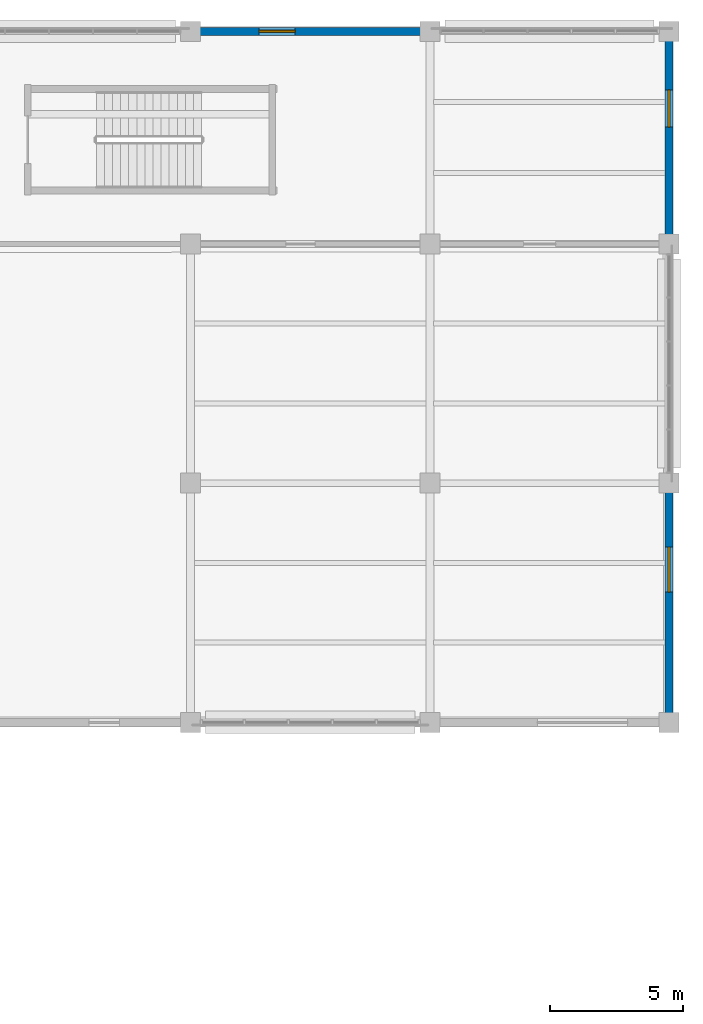
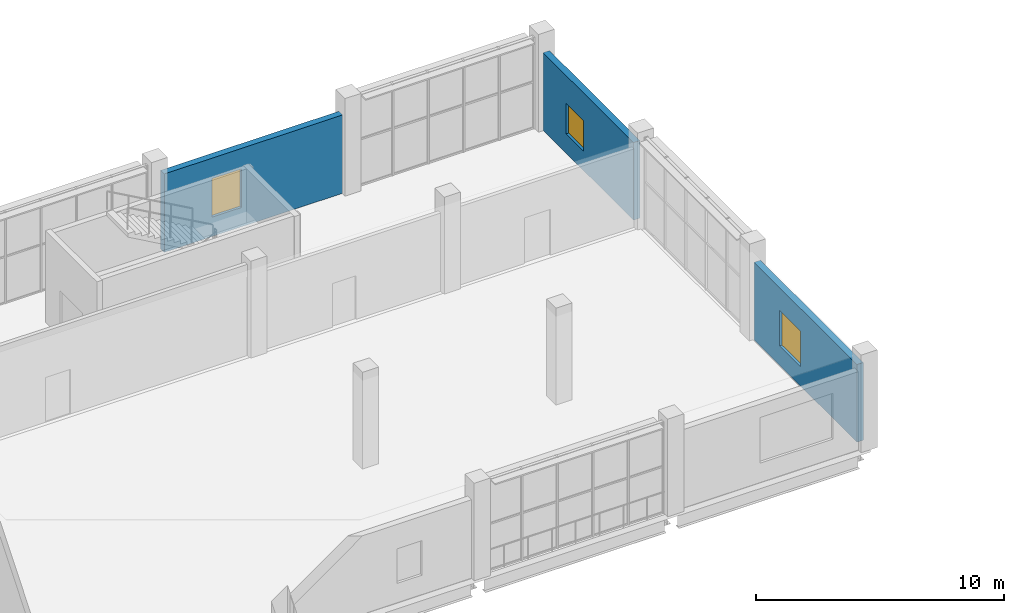
# One storey, part 113 of 179: 3 walls, 3 windows, 3 openings.
"""IFC4 building model written with IfcOpenShell, lengths in metres."""

from ifc_helpers import new_model, si_unit, direction, frame, frame_2d, origin, place, context, subcontext, project, spatial, rectangle, extrude, material, layer, layer_set, type_object, element, fill, save


model = new_model("IFC4")

# Units and contexts
model_context = context("Model", 3, precision=1e-05, world=origin(), true_north=direction((0.0, 1.0)))
body_context = subcontext(model_context, "Body", "Model", "MODEL_VIEW")
ifc_project = project(units=[si_unit("LENGTHUNIT", "METRE"), si_unit("AREAUNIT", "SQUARE_METRE"), si_unit("VOLUMEUNIT", "CUBIC_METRE"), si_unit("PLANEANGLEUNIT", "RADIAN"), si_unit("MASSUNIT", "GRAM", prefix="KILO")], contexts=[model_context])

# Site, building, storey
site_placement = place(None, origin())
site = spatial("IfcSite", under=ifc_project, at=site_placement, CompositionType="ELEMENT")
building_placement = place(site_placement, origin())
building = spatial("IfcBuilding", under=site, at=building_placement, Name="Zevraka Park Crest Stadium", CompositionType="ELEMENT")
storey_placement = place(building_placement, frame((0.0, 0.0, 10.199951171875)))
storey = spatial("IfcBuildingStorey", under=building, at=storey_placement, Name="L02", CompositionType="ELEMENT", Elevation=10.199951171875)

# Wall, opening, window
ifc_material_1 = material(Name="Limestone and red clay brick masonry", Category="masonry")
ifc_layer = layer(ifc_material_1, 0.300048828125)
ifc_layer_set = layer_set([ifc_layer], Name="Limestone and red clay brick masonry")
wall_type = type_object("IfcWallType", Name="EW02", PredefinedType="STANDARD", material=ifc_layer_set)
wall_1_placement = place(storey_placement, frame((206.35009765625, 184.0, 0.0), z_axis=(0.0, 0.0, 1.0), x_axis=(1.0, 0.0, 0.0)))
wall_1 = element("IfcWall", 1, at=wall_1_placement, inside=storey, type_object=wall_type, Name="Wing External Cavity Wall EW02 L02-NGATE-N-7", PredefinedType="STANDARD", context=body_context, shape_type="SweptSolid", body=[
    extrude(rectangle(XDim=8.2998046875, YDim=0.300048828125, at=frame_2d((4.14990234375, 0.0))), origin(), (0.0, 0.0, 1.0), 3.85498046875),
])
opening_1_placement = place(wall_1_placement, frame((2.22998046875, 0.0, 0.949951171875)))
opening_1 = element("IfcOpeningElement", 2, at=opening_1_placement, cuts=wall_1, Name="Opening WN09", PredefinedType="OPENING", context=body_context, shape_type="SweptSolid", body=[
    extrude(rectangle(XDim=1.35009765625, YDim=1.89990234375, at=frame_2d((0.675048828125, 0.949951171875))), frame((0.0, 0.159912109375, 0.0), z_axis=(0.0, -1.0, 0.0), x_axis=(1.0, 0.0, 0.0)), (0.0, 0.0, 1.0), 0.320068359375),
])
ifc_material_2 = material(Name="Solar-control laminated double glazing in aluminium frame", Category="aluminium")
window_type_1 = type_object("IfcWindowType", Name="WN09", PartitioningType="SINGLE_PANEL", PredefinedType="WINDOW", material=ifc_material_2)
window_1_placement = place(opening_1_placement, origin())
window_1 = element("IfcWindow", 3, at=window_1_placement, inside=storey, type_object=window_type_1, Name="Facade Casement Window WN09 W-L02-009", OverallHeight=1.89990234375, OverallWidth=1.35009765625, PartitioningType="SINGLE_PANEL", PredefinedType="WINDOW", context=body_context, shape_type="SweptSolid", body=[
    extrude(rectangle(XDim=1.35009765625, YDim=1.89990234375, at=frame_2d((0.675048828125, 0.949951171875))), frame((0.0, 0.030029296875, 0.0), z_axis=(0.0, -1.0, 0.0), x_axis=(1.0, 0.0, 0.0)), (0.0, 0.0, 1.0), 0.06005859375),
])
fill(opening_1, window_1)

wall_2_placement = place(storey_placement, frame((224.0, 183.64990234375, 0.0), z_axis=(0.0, 0.0, 1.0), x_axis=(0.0, -1.0, 0.0)))
wall_2 = element("IfcWall", 4, at=wall_2_placement, inside=storey, type_object=wall_type, Name="Wing External Cavity Wall EW02 L02-NGATE-E-1", PredefinedType="STANDARD", context=body_context, shape_type="SweptSolid", body=[
    extrude(rectangle(XDim=7.2998046875, YDim=0.300048828125, at=frame_2d((3.64990234375, 0.0))), origin(), (0.0, 0.0, 1.0), 3.817138671875),
])
opening_2_placement = place(wall_2_placement, frame((1.85498046875, 0.0, 0.949951171875)))
opening_2 = element("IfcOpeningElement", 5, at=opening_2_placement, cuts=wall_2, Name="Opening WN15", PredefinedType="OPENING", context=body_context, shape_type="SweptSolid", body=[
    extrude(rectangle(XDim=1.39990234375, YDim=1.5, at=frame_2d((0.699951171875, 0.75))), frame((0.0, 0.159912109375, 0.0), z_axis=(0.0, -1.0, 0.0), x_axis=(1.0, 0.0, 0.0)), (0.0, 0.0, 1.0), 0.320068359375),
])
ifc_material_3 = material(Name="Solar-control laminated double glazing in aluminium frame", Category="aluminium")
window_type_2 = type_object("IfcWindowType", Name="WN15", PartitioningType="SINGLE_PANEL", PredefinedType="WINDOW", material=ifc_material_3)
window_2_placement = place(opening_2_placement, origin())
window_2 = element("IfcWindow", 6, at=window_2_placement, inside=storey, type_object=window_type_2, Name="Facade Casement Window WN15 W-L02-015", OverallHeight=1.5, OverallWidth=1.39990234375, PartitioningType="SINGLE_PANEL", PredefinedType="WINDOW", context=body_context, shape_type="SweptSolid", body=[
    extrude(rectangle(XDim=1.39990234375, YDim=1.5, at=frame_2d((0.699951171875, 0.75))), frame((0.0, 0.030029296875, 0.0), z_axis=(0.0, -1.0, 0.0), x_axis=(1.0, 0.0, 0.0)), (0.0, 0.0, 1.0), 0.06005859375),
])
fill(opening_2, window_2)

wall_3_placement = place(storey_placement, frame((224.0, 166.64990234375, 0.0), z_axis=(0.0, 0.0, 1.0), x_axis=(0.0, -1.0, 0.0)))
wall_3 = element("IfcWall", 7, at=wall_3_placement, inside=storey, type_object=wall_type, Name="Wing External Cavity Wall EW02 L02-NGATE-E-3", PredefinedType="STANDARD", context=body_context, shape_type="SweptSolid", body=[
    extrude(rectangle(XDim=8.2998046875, YDim=0.300048828125, at=frame_2d((4.14990234375, 0.0))), origin(), (0.0, 0.0, 1.0), 3.817138671875),
])
opening_3_placement = place(wall_3_placement, frame((2.054931640625, 0.0, 0.949951171875)))
opening_3 = element("IfcOpeningElement", 8, at=opening_3_placement, cuts=wall_3, Name="Opening WN16", PredefinedType="OPENING", context=body_context, shape_type="SweptSolid", body=[
    extrude(rectangle(XDim=1.699951171875, YDim=1.75, at=frame_2d((0.85009765625, 0.875))), frame((0.0, 0.159912109375, 0.0), z_axis=(0.0, -1.0, 0.0), x_axis=(1.0, 0.0, 0.0)), (0.0, 0.0, 1.0), 0.320068359375),
])
ifc_material_4 = material(Name="Solar-control laminated double glazing in aluminium frame", Category="aluminium")
window_type_3 = type_object("IfcWindowType", Name="WN16", PartitioningType="SINGLE_PANEL", PredefinedType="WINDOW", material=ifc_material_4)
window_3_placement = place(opening_3_placement, origin())
window_3 = element("IfcWindow", 9, at=window_3_placement, inside=storey, type_object=window_type_3, Name="Facade Casement Window WN16 W-L02-016", OverallHeight=1.75, OverallWidth=1.699951171875, PartitioningType="SINGLE_PANEL", PredefinedType="WINDOW", context=body_context, shape_type="SweptSolid", body=[
    extrude(rectangle(XDim=1.699951171875, YDim=1.75, at=frame_2d((0.85009765625, 0.875))), frame((0.0, 0.030029296875, 0.0), z_axis=(0.0, -1.0, 0.0), x_axis=(1.0, 0.0, 0.0)), (0.0, 0.0, 1.0), 0.06005859375),
])
fill(opening_3, window_3)

save(model, "model.ifc")
